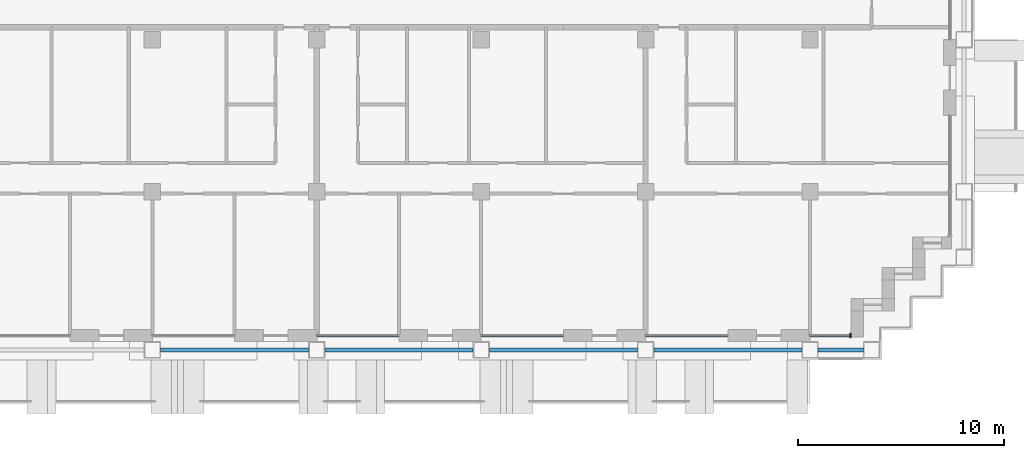
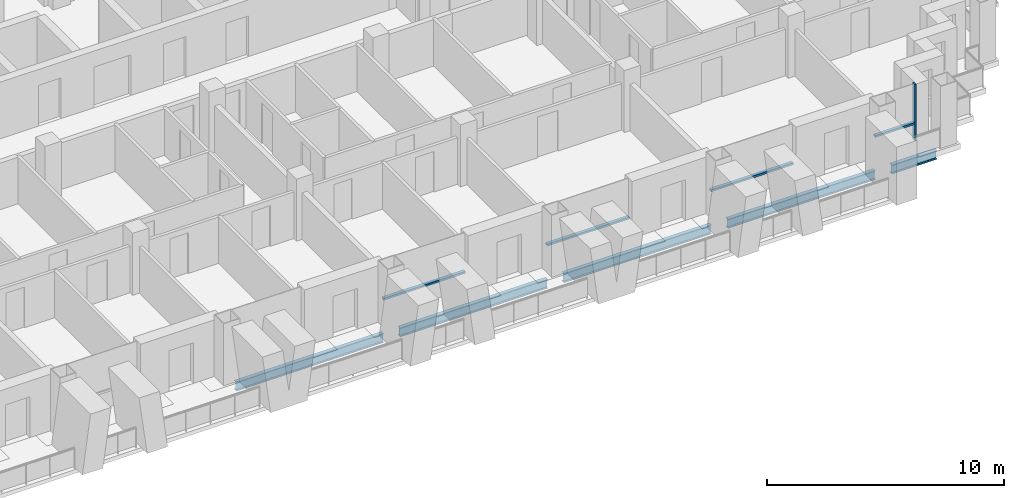
# One storey, part 3 of 18: 5 beams, 5 members, 4 elements without a shape of their own.
"""IFC4 building model written with IfcOpenShell, lengths in metres."""

import ifcopenshell
import ifcopenshell.guid

model = None  # the IFC model being written
_history = None  # IfcOwnerHistory: only IFC2X3 demands one
_inside = {}  # id of a spatial element -> (the spatial element, [elements in it])
_under = {}  # id of a project, library or spatial element -> (it, [spatial elements below it])
_declared = {}  # id of a project -> (the project, [libraries it declares])
_typed = {}  # id of a type object -> (the type object, [elements of that type])
_made_of = {}  # id of a material, layer set ... -> (it, [elements and type objects made of it])


def new_model(schema):
    """Start an empty IFC model of exactly this schema.

    Asked for "IFC4X3", IfcOpenShell would pick the latest addendum, in which some entities
    have other attributes; the version numbers below select the first issue.
    IFC2X3 requires an IfcOwnerHistory on every rooted entity: one is made here for all.
    """
    global model, _history
    if schema == "IFC4X3":
        model = ifcopenshell.file(schema_version=(4, 3, 0, 0))
    else:
        model = ifcopenshell.file(schema=schema)
    _inside.clear()
    _under.clear()
    _declared.clear()
    _typed.clear()
    _made_of.clear()
    _history = None
    if model.schema == "IFC2X3":
        org = make("IfcOrganization", Name="unknown")
        user = make(
            "IfcPersonAndOrganization",
            ThePerson=make("IfcPerson", FamilyName="unknown"),
            TheOrganization=org,
        )
        app = make(
            "IfcApplication",
            ApplicationDeveloper=org,
            Version="unknown",
            ApplicationFullName="unknown",
            ApplicationIdentifier="unknown",
        )
        _history = make(
            "IfcOwnerHistory",
            OwningUser=user,
            OwningApplication=app,
            ChangeAction="ADDED",
            CreationDate=0,
        )
    return model


def make(cls, **values):
    """One entity of the class cls with the attributes given. An attribute that is None is left unset."""
    return model.create_entity(
        cls, **{name: value for name, value in values.items() if value is not None}
    )


def rooted(cls, **values):
    """An entity with a GlobalId (a new one), such as an element, a storey or a relation."""
    return make(cls, GlobalId=ifcopenshell.guid.new(), OwnerHistory=_history, **values)


def si_unit(unit_type, name, prefix=None):
    """IfcSIUnit, for example si_unit("LENGTHUNIT", "METRE", prefix="MILLI")."""
    return make("IfcSIUnit", UnitType=unit_type, Prefix=prefix, Name=name)


def assignment(units):
    """IfcUnitAssignment: the units of a project."""
    return None if units is None else make("IfcUnitAssignment", Units=units)


def point(xyz):
    """IfcCartesianPoint."""
    return None if xyz is None else make("IfcCartesianPoint", Coordinates=xyz)


def direction(xyz):
    """IfcDirection."""
    return None if xyz is None else make("IfcDirection", DirectionRatios=xyz)


def frame(location, z_axis=None, x_axis=None):
    """IfcAxis2Placement3D, a coordinate frame: its origin and axes. An axis left out is left unset."""
    return make(
        "IfcAxis2Placement3D",
        Location=point(location),
        Axis=direction(z_axis),
        RefDirection=direction(x_axis),
    )


def frame_2d(location, x_axis=None):
    """IfcAxis2Placement2D, a coordinate frame in the plane: its origin and x axis."""
    return make(
        "IfcAxis2Placement2D", Location=point(location), RefDirection=direction(x_axis)
    )


def origin():
    """The frame at (0, 0, 0) with its axes left unset."""
    return frame((0.0, 0.0, 0.0))


def origin_2d():
    """The frame at (0, 0) in the plane with its x axis left unset."""
    return frame_2d((0.0, 0.0))


def place(relative_to, where):
    """IfcLocalPlacement: puts the frame where relative to a parent placement (None: the world)."""
    return make(
        "IfcLocalPlacement", PlacementRelTo=relative_to, RelativePlacement=where
    )


def context(
    kind, dimensions, precision=None, world=None, true_north=None, identifier=None
):
    """IfcGeometricRepresentationContext, for example the 3D "Model" context."""
    return make(
        "IfcGeometricRepresentationContext",
        ContextIdentifier=identifier,
        ContextType=kind,
        CoordinateSpaceDimension=dimensions,
        Precision=precision,
        WorldCoordinateSystem=world,
        TrueNorth=true_north,
    )


def subcontext(parent, identifier, kind, view, scale=None):
    """IfcGeometricRepresentationSubContext, for example "Body" below "Model"."""
    return make(
        "IfcGeometricRepresentationSubContext",
        ContextIdentifier=identifier,
        ContextType=kind,
        ParentContext=parent,
        TargetScale=scale,
        TargetView=view,
    )


def project(units=None, contexts=None):
    """IfcProject with its units and contexts."""
    return rooted(
        "IfcProject",
        Name="project",
        RepresentationContexts=contexts,
        UnitsInContext=assignment(units),
    )


def spatial(cls, under=None, at=None, **own):
    """A site, building, storey or space (cls), placed at a placement, below another one or the project."""
    s = rooted(cls, ObjectPlacement=at, **own)
    if under is not None:
        _under.setdefault(under.id(), (under, []))[1].append(s)
    return s


def profile(cls, at=None, kind="AREA", **sizes):
    """A parametric profile (cls). Its sizes go by their IFC names, for example OverallWidth=200.0."""
    return make(cls, ProfileType=kind, Position=at, **sizes)


def rectangle(**sizes):
    """IfcRectangleProfileDef."""
    return profile("IfcRectangleProfileDef", **sizes)


def i_section(**sizes):
    """IfcIShapeProfileDef."""
    return profile("IfcIShapeProfileDef", **sizes)


def extrude(swept, where, along, depth):
    """IfcExtrudedAreaSolid: the profile swept, set in the frame where, extruded along a direction by depth."""
    return make(
        "IfcExtrudedAreaSolid",
        SweptArea=swept,
        Position=where,
        ExtrudedDirection=direction(along),
        Depth=depth,
    )


def shape(context_of_items, identifier, shape_type, items):
    """IfcShapeRepresentation: the items that make up one representation, for example the "Body"."""
    return make(
        "IfcShapeRepresentation",
        ContextOfItems=context_of_items,
        RepresentationIdentifier=identifier,
        RepresentationType=shape_type,
        Items=items,
    )


def material(Name=None, Category=None):
    """IfcMaterial."""
    return make("IfcMaterial", Name=Name, Category=Category)


def material_profile(
    of_material, cross_section, Name=None, Category=None, Priority=None
):
    """IfcMaterialProfile: a cross section and its material."""
    return make(
        "IfcMaterialProfile",
        Name=Name,
        Material=of_material,
        Profile=cross_section,
        Priority=Priority,
        Category=Category,
    )


def profile_set(profiles, Name=None, composite=None):
    """IfcMaterialProfileSet."""
    return make(
        "IfcMaterialProfileSet",
        Name=Name,
        MaterialProfiles=profiles,
        CompositeProfile=composite,
    )


def made_of(thing, what):
    """Note that an element or type object is made of a material, layer set ...; save() writes the relation."""
    if what is not None:
        _made_of.setdefault(what.id(), (what, []))[1].append(thing)
    return thing


def type_object(cls, material=None, **own):
    """A type object (cls), such as IfcWallType, which elements share."""
    return made_of(rooted(cls, **own), material)


def element(
    cls,
    number,
    at=None,
    inside=None,
    cuts=None,
    type_object=None,
    material=None,
    context=None,
    identifier="Body",
    shape_type=None,
    held_by="IfcProductDefinitionShape",
    body=None,
    shapes=None,
    **own,
):
    """One element of the class cls, such as IfcWall. Its Tag is "e" and its number.

    at: its placement. inside: the storey or other place that contains it. cuts: it is an
    opening in that element (IfcRelVoidsElement). A single representation is given by context,
    identifier, shape_type and body (its items); several are given by shapes. held_by: the class
    of the entity that holds the representations. save() writes the other relations.
    """
    e = rooted(cls, Tag="e%d" % number, ObjectPlacement=at, **own)
    if body is not None:
        shapes = [shape(context, identifier, shape_type, body)]
    if shapes is not None:
        e.Representation = make(held_by, Representations=shapes)
    if inside is not None:
        _inside.setdefault(inside.id(), (inside, []))[1].append(e)
    if cuts is not None:
        rooted(
            "IfcRelVoidsElement", RelatingBuildingElement=cuts, RelatedOpeningElement=e
        )
    if type_object is not None:
        _typed.setdefault(type_object.id(), (type_object, []))[1].append(e)
    return made_of(e, material)


def aggregate(whole, parts):
    """IfcRelAggregates: a whole, such as a stair, and the parts it consists of."""
    return rooted("IfcRelAggregates", RelatingObject=whole, RelatedObjects=parts)


def save(model, path):
    """Write the relations noted so far, then the file.

    IfcRelAggregates (storeys below a building ...), IfcRelContainedInSpatialStructure (elements
    in a storey), IfcRelDefinesByType, IfcRelAssociatesMaterial and IfcRelDeclares: one each for
    every whole, place, type object, material and project.
    """
    for whole, parts in _under.values():
        aggregate(whole, parts)
    for where, things in _inside.values():
        rooted(
            "IfcRelContainedInSpatialStructure",
            RelatedElements=things,
            RelatingStructure=where,
        )
    for kind, things in _typed.values():
        rooted("IfcRelDefinesByType", RelatedObjects=things, RelatingType=kind)
    for what, things in _made_of.values():
        rooted("IfcRelAssociatesMaterial", RelatedObjects=things, RelatingMaterial=what)
    for by, libraries in _declared.values():
        rooted("IfcRelDeclares", RelatingContext=by, RelatedDefinitions=libraries)
    model.write(path)


model = new_model("IFC4")

# Units and contexts
model_context = context("Model", 3, precision=1e-05, world=origin(), true_north=direction((0.0, 1.0)))
body_context = subcontext(model_context, "Body", "Model", "MODEL_VIEW")
ifc_project = project(units=[si_unit("LENGTHUNIT", "METRE"), si_unit("AREAUNIT", "SQUARE_METRE"), si_unit("VOLUMEUNIT", "CUBIC_METRE"), si_unit("PLANEANGLEUNIT", "RADIAN"), si_unit("MASSUNIT", "GRAM", prefix="KILO")], contexts=[model_context])

# Site, building, storey
site_placement = place(None, origin())
site = spatial("IfcSite", under=ifc_project, at=site_placement, CompositionType="ELEMENT")
building_placement = place(site_placement, origin())
building = spatial("IfcBuilding", under=site, at=building_placement, Name="Vidyagriha Tower", CompositionType="ELEMENT")
storey_placement = place(building_placement, frame((0.0, 0.0, 123.0)))
storey = spatial("IfcBuildingStorey", under=building, at=storey_placement, Name="L31", CompositionType="ELEMENT", Elevation=123.0)

# Beams
ifc_material_1 = material(Name="Steel ASTM A992 Grade 50", Category="steel")
ifc_material_profile_1 = material_profile(ifc_material_1, i_section(OverallWidth=0.19189453125, OverallDepth=0.46240234375, WebThickness=0.010498046875, FlangeThickness=0.017578125, at=origin_2d()), Name="W18X60")
ifc_profile_set_1 = profile_set([ifc_material_profile_1], Name="Steel ASTM A992 Grade 50")
beam_type = type_object("IfcBeamType", Name="Edge beam W18X60", PredefinedType="SPANDREL", material=ifc_profile_set_1)
for number, where, z_axis, x_axis, name in (
    (1, (-5.60009765625, -17.10009765625, -0.51123046875), (1.0, 0.0, 0.0), (0.0, 1.0, 0.0), "st-beam-L31-S04"),
    (2, (2.39990234375, -17.10009765625, -0.51123046875), (1.0, 0.0, 0.0), (0.0, 1.0, 0.0), "st-beam-L31-S05"),
    (3, (10.39990234375, -17.10009765625, -0.51123046875), (1.0, 0.0, 0.0), (0.0, 1.0, 0.0), "st-beam-L31-S06"),
    (4, (18.39990234375, -17.10009765625, -0.51123046875), (1.0, 0.0, 0.0), (0.0, 1.0, 0.0), "st-beam-L31-S07"),
):
    element("IfcBeam", number, at=place(storey_placement, frame(where, z_axis=z_axis, x_axis=x_axis)), inside=storey, type_object=beam_type, Name=name, PredefinedType="SPANDREL", context=body_context, shape_type="SweptSolid", body=[
        extrude(i_section(OverallWidth=0.19189453125, OverallDepth=0.46240234375, WebThickness=0.010498046875, FlangeThickness=0.017578125, at=origin_2d()), origin(), (0.0, 0.0, 1.0), 7.2001953125),
    ])
beam_placement = place(storey_placement, frame((26.39990234375, -17.10009765625, -0.51123046875), z_axis=(1.0, 0.0, 0.0), x_axis=(0.0, 1.0, 0.0)))
element("IfcBeam", 5, at=beam_placement, inside=storey, type_object=beam_type, Name="st-beam-L31-S08", PredefinedType="SPANDREL", context=body_context, shape_type="SweptSolid", body=[
    extrude(i_section(OverallWidth=0.19189453125, OverallDepth=0.46240234375, WebThickness=0.010498046875, FlangeThickness=0.017578125, at=origin_2d()), origin(), (0.0, 0.0, 1.0), 2.2001953125),
])

# Curtain wall, member
ifc_material_2 = material(Name="Aluminium and glass curtain wall", Category="aluminium")
curtain_wall_type = type_object("IfcCurtainWallType", Name="Dwelling skin unitised curtain wall", PredefinedType="USERDEFINED", material=ifc_material_2)
curtain_wall_1_placement = place(storey_placement, origin())
curtain_wall_1 = element("IfcCurtainWall", 6, at=curtain_wall_1_placement, inside=storey, type_object=curtain_wall_type, Name="CW1 dwelling skin", ObjectType="UNITISED", PredefinedType="USERDEFINED")
ifc_material_3 = material(Name="Aluminium black anodised", Category="aluminium")
ifc_material_profile_2 = material_profile(ifc_material_3, rectangle(XDim=0.199951171875, YDim=0.070068359375, at=origin_2d()), Name="Mullion 70x200 black aluminium")
ifc_profile_set_2 = profile_set([ifc_material_profile_2], Name="Aluminium black anodised")
member_type_1 = type_object("IfcMemberType", Name="Mullion 70x200 black aluminium", PredefinedType="MULLION", material=ifc_profile_set_2)
member_1_placement = place(storey_placement, frame((27.965087890625, -16.39990234375, 0.0), z_axis=(0.0, 0.0, 1.0), x_axis=(0.0, 1.0, 0.0)))
member_1 = element("IfcMember", 7, at=member_1_placement, type_object=member_type_1, Name="CW1 mullion 2", PredefinedType="MULLION", context=body_context, shape_type="SweptSolid", body=[
    extrude(rectangle(XDim=0.199951171875, YDim=0.070068359375, at=origin_2d()), origin(), (0.0, 0.0, 1.0), 2.919921875),
])

curtain_wall_2_placement = place(storey_placement, origin())
curtain_wall_2 = element("IfcCurtainWall", 8, at=curtain_wall_2_placement, inside=storey, type_object=curtain_wall_type, Name="CW1 dwelling skin", ObjectType="UNITISED", PredefinedType="USERDEFINED")
ifc_material_4 = material(Name="Aluminium black anodised", Category="aluminium")
ifc_material_profile_3 = material_profile(ifc_material_4, rectangle(XDim=0.159912109375, YDim=0.10009765625, at=origin_2d()), Name="Transom 100x160 black aluminium")
ifc_profile_set_3 = profile_set([ifc_material_profile_3], Name="Aluminium black anodised")
member_type_2 = type_object("IfcMemberType", Name="Transom 100x160 black aluminium", PredefinedType="USERDEFINED", material=ifc_profile_set_3)
member_2_placement = place(storey_placement, frame((2.0, -16.39990234375, 0.89990234375), z_axis=(1.0, 0.0, 0.0), x_axis=(0.0, 1.0, 0.0)))
member_2 = element("IfcMember", 9, at=member_2_placement, type_object=member_type_2, Name="CW1 transom 1.1", ObjectType="TRANSOM", PredefinedType="USERDEFINED", context=body_context, shape_type="SweptSolid", body=[
    extrude(rectangle(XDim=0.159912109375, YDim=0.10009765625, at=origin_2d()), origin(), (0.0, 0.0, 1.0), 4.0),
])
aggregate(curtain_wall_2, [member_2])

curtain_wall_3_placement = place(storey_placement, origin())
curtain_wall_3 = element("IfcCurtainWall", 10, at=curtain_wall_3_placement, inside=storey, type_object=curtain_wall_type, Name="CW1 dwelling skin", ObjectType="UNITISED", PredefinedType="USERDEFINED")
member_3_placement = place(storey_placement, frame((10.0, -16.39990234375, 0.89990234375), z_axis=(1.0, 0.0, 0.0), x_axis=(0.0, 1.0, 0.0)))
member_3 = element("IfcMember", 11, at=member_3_placement, type_object=member_type_2, Name="CW1 transom 1.1", ObjectType="TRANSOM", PredefinedType="USERDEFINED", context=body_context, shape_type="SweptSolid", body=[
    extrude(rectangle(XDim=0.159912109375, YDim=0.10009765625, at=origin_2d()), origin(), (0.0, 0.0, 1.0), 4.0),
])
aggregate(curtain_wall_3, [member_3])

curtain_wall_4_placement = place(storey_placement, origin())
curtain_wall_4 = element("IfcCurtainWall", 12, at=curtain_wall_4_placement, inside=storey, type_object=curtain_wall_type, Name="CW1 dwelling skin", ObjectType="UNITISED", PredefinedType="USERDEFINED")
member_4_placement = place(storey_placement, frame((18.0, -16.39990234375, 0.89990234375), z_axis=(1.0, 0.0, 0.0), x_axis=(0.0, 1.0, 0.0)))
member_4 = element("IfcMember", 13, at=member_4_placement, type_object=member_type_2, Name="CW1 transom 1.1", ObjectType="TRANSOM", PredefinedType="USERDEFINED", context=body_context, shape_type="SweptSolid", body=[
    extrude(rectangle(XDim=0.159912109375, YDim=0.10009765625, at=origin_2d()), origin(), (0.0, 0.0, 1.0), 4.0),
])
aggregate(curtain_wall_4, [member_4])

# Member
member_5_placement = place(storey_placement, frame((26.0, -16.39990234375, 0.89990234375), z_axis=(1.0, 0.0, 0.0), x_axis=(0.0, 1.0, 0.0)))
member_5 = element("IfcMember", 14, at=member_5_placement, type_object=member_type_2, Name="CW1 transom 1.1", ObjectType="TRANSOM", PredefinedType="USERDEFINED", context=body_context, shape_type="SweptSolid", body=[
    extrude(rectangle(XDim=0.159912109375, YDim=0.10009765625, at=origin_2d()), origin(), (0.0, 0.0, 1.0), 1.929931640625),
])

aggregate(curtain_wall_1, [member_1, member_5])

save(model, "model.ifc")
